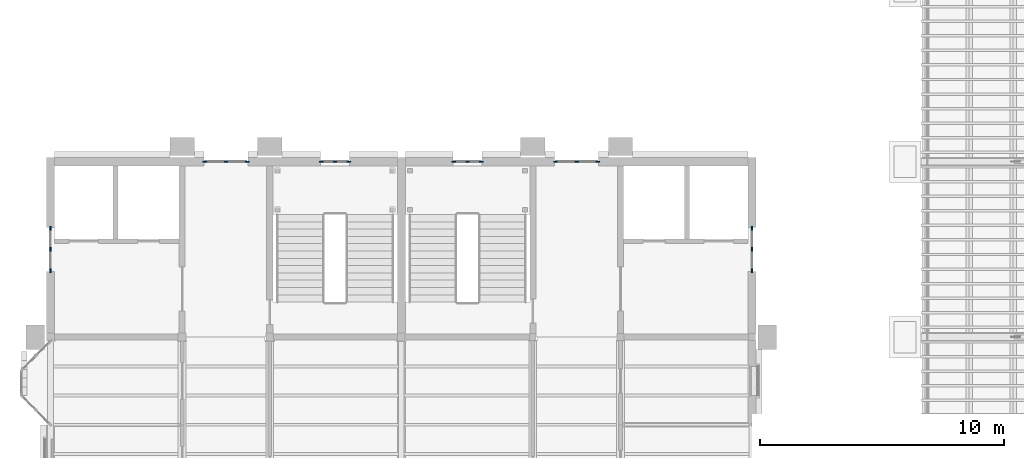
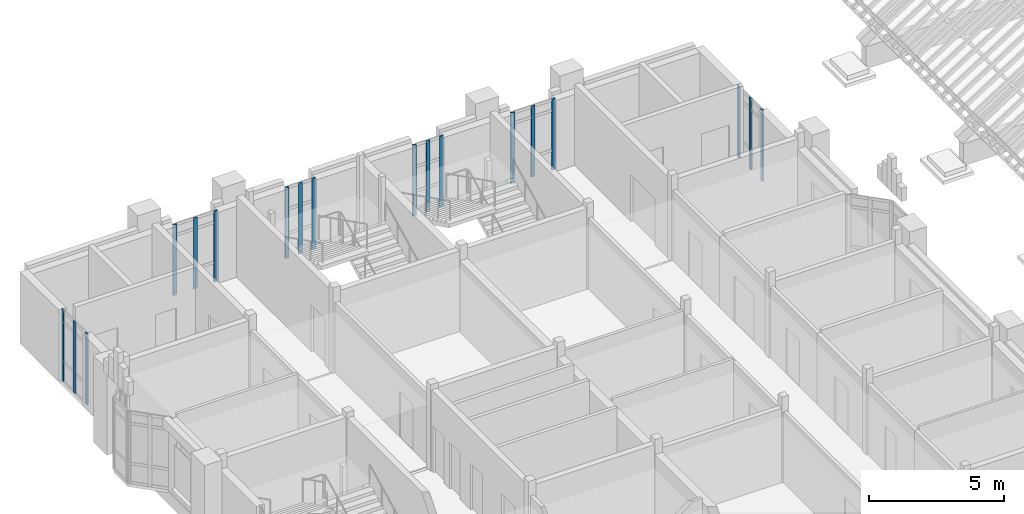
# One storey, part 8 of 71: 18 members, 6 elements without a shape of their own.
"""IFC4 building model written with IfcOpenShell, lengths in metres."""

from ifc_helpers import new_model, si_unit, direction, frame, origin, origin_2d, place, context, subcontext, project, spatial, rectangle, extrude, material, layer, layer_set, material_profile, profile_set, type_object, element, aggregate, save


model = new_model("IFC4")

# Units and contexts
model_context = context("Model", 3, precision=1e-05, world=origin(), true_north=direction((0.0, 1.0)))
body_context = subcontext(model_context, "Body", "Model", "MODEL_VIEW")
ifc_project = project(units=[si_unit("LENGTHUNIT", "METRE"), si_unit("AREAUNIT", "SQUARE_METRE"), si_unit("VOLUMEUNIT", "CUBIC_METRE"), si_unit("PLANEANGLEUNIT", "RADIAN"), si_unit("MASSUNIT", "GRAM", prefix="KILO")], contexts=[model_context])

# Site, building, storey
site_placement = place(None, origin())
site = spatial("IfcSite", under=ifc_project, at=site_placement, CompositionType="ELEMENT")
building_placement = place(site_placement, origin())
building = spatial("IfcBuilding", under=site, at=building_placement, Name="Mazhai Court Health Centre", CompositionType="ELEMENT")
storey_placement = place(building_placement, frame((0.0, 0.0, 10.199951171875)))
storey = spatial("IfcBuildingStorey", under=building, at=storey_placement, Name="L02", CompositionType="ELEMENT", Elevation=10.199951171875)

# Curtain wall, members
ifc_material_1 = material(Name="Teak timber frame, glazed", Category="wood")
ifc_layer_1 = layer(ifc_material_1, 0.10009765625)
ifc_layer_set_1 = layer_set([ifc_layer_1], Name="CURTAIN WALL TIMBER 900")
curtain_wall_type_1 = type_object("IfcCurtainWallType", Name="CURTAIN WALL TIMBER 900", PredefinedType="NOTDEFINED", material=ifc_layer_set_1)
curtain_wall_1_placement = place(storey_placement, origin())
curtain_wall_1 = element("IfcCurtainWall", 1, at=curtain_wall_1_placement, inside=storey, type_object=curtain_wall_type_1, Name="CW-V2-L02-A4", PredefinedType="NOTDEFINED")
ifc_material_2 = material(Name="Teak timber", Category="wood")
ifc_material_profile = material_profile(ifc_material_2, rectangle(XDim=0.06005859375, YDim=0.159912109375, at=origin_2d()), Name="CW MULLION 60x160")
ifc_profile_set = profile_set([ifc_material_profile], Name="Teak timber")
member_type = type_object("IfcMemberType", Name="CW MULLION 60x160", PredefinedType="MULLION", material=ifc_profile_set)
member_1_placement = place(storey_placement, frame((6.199951171875, 37.72998046875, 0.0), z_axis=(0.0, 0.0, 1.0), x_axis=(-1.0, 0.0, 0.0)))
member_1 = element("IfcMember", 2, at=member_1_placement, type_object=member_type, Name="CW mullion 1", PredefinedType="MULLION", context=body_context, shape_type="SweptSolid", body=[
    extrude(rectangle(XDim=0.06005859375, YDim=0.159912109375, at=origin_2d()), origin(), (0.0, 0.0, 1.0), 3.219970703125),
])
member_2_placement = place(storey_placement, frame((6.199951171875, 38.60009765625, 0.0), z_axis=(0.0, 0.0, 1.0), x_axis=(-1.0, 0.0, 0.0)))
member_2 = element("IfcMember", 3, at=member_2_placement, type_object=member_type, Name="CW mullion 2", PredefinedType="MULLION", context=body_context, shape_type="SweptSolid", body=[
    extrude(rectangle(XDim=0.06005859375, YDim=0.159912109375, at=origin_2d()), origin(), (0.0, 0.0, 1.0), 3.219970703125),
])
member_3_placement = place(storey_placement, frame((6.199951171875, 39.469970703125, 0.0), z_axis=(0.0, 0.0, 1.0), x_axis=(-1.0, 0.0, 0.0)))
member_3 = element("IfcMember", 4, at=member_3_placement, type_object=member_type, Name="CW mullion 3", PredefinedType="MULLION", context=body_context, shape_type="SweptSolid", body=[
    extrude(rectangle(XDim=0.06005859375, YDim=0.159912109375, at=origin_2d()), origin(), (0.0, 0.0, 1.0), 3.219970703125),
])
aggregate(curtain_wall_1, [member_1, member_2, member_3])

curtain_wall_2_placement = place(storey_placement, origin())
curtain_wall_2 = element("IfcCurtainWall", 5, at=curtain_wall_2_placement, inside=storey, type_object=curtain_wall_type_1, Name="CW-V2-L02-ELIFT0", PredefinedType="NOTDEFINED")
member_4_placement = place(storey_placement, frame((12.530029296875, 42.199951171875, 0.0), z_axis=(0.0, 0.0, 1.0), x_axis=(0.0, 1.0, 0.0)))
member_4 = element("IfcMember", 6, at=member_4_placement, type_object=member_type, Name="CW mullion 1", PredefinedType="MULLION", context=body_context, shape_type="SweptSolid", body=[
    extrude(rectangle(XDim=0.06005859375, YDim=0.159912109375, at=origin_2d()), origin(), (0.0, 0.0, 1.0), 3.199951171875),
])
member_5_placement = place(storey_placement, frame((13.39990234375, 42.199951171875, 0.0), z_axis=(0.0, 0.0, 1.0), x_axis=(0.0, 1.0, 0.0)))
member_5 = element("IfcMember", 7, at=member_5_placement, type_object=member_type, Name="CW mullion 2", PredefinedType="MULLION", context=body_context, shape_type="SweptSolid", body=[
    extrude(rectangle(XDim=0.06005859375, YDim=0.159912109375, at=origin_2d()), origin(), (0.0, 0.0, 1.0), 3.199951171875),
])
member_6_placement = place(storey_placement, frame((14.27001953125, 42.199951171875, 0.0), z_axis=(0.0, 0.0, 1.0), x_axis=(0.0, 1.0, 0.0)))
member_6 = element("IfcMember", 8, at=member_6_placement, type_object=member_type, Name="CW mullion 3", PredefinedType="MULLION", context=body_context, shape_type="SweptSolid", body=[
    extrude(rectangle(XDim=0.06005859375, YDim=0.159912109375, at=origin_2d()), origin(), (0.0, 0.0, 1.0), 3.199951171875),
])
aggregate(curtain_wall_2, [member_4, member_5, member_6])

ifc_material_3 = material(Name="Teak timber frame, glazed", Category="wood")
ifc_layer_2 = layer(ifc_material_3, 0.10009765625)
ifc_layer_set_2 = layer_set([ifc_layer_2], Name="CURTAIN WALL TIMBER 600")
curtain_wall_type_2 = type_object("IfcCurtainWallType", Name="CURTAIN WALL TIMBER 600", PredefinedType="NOTDEFINED", material=ifc_layer_set_2)
curtain_wall_3_placement = place(storey_placement, origin())
curtain_wall_3 = element("IfcCurtainWall", 9, at=curtain_wall_3_placement, inside=storey, type_object=curtain_wall_type_2, Name="CW-V2-L02-ESTAIR1", PredefinedType="NOTDEFINED")
member_7_placement = place(storey_placement, frame((17.31005859375, 42.199951171875, 0.0), z_axis=(0.0, 0.0, 1.0), x_axis=(0.0, 1.0, 0.0)))
member_7 = element("IfcMember", 10, at=member_7_placement, type_object=member_type, Name="CW mullion 1", PredefinedType="MULLION", context=body_context, shape_type="SweptSolid", body=[
    extrude(rectangle(XDim=0.06005859375, YDim=0.159912109375, at=origin_2d()), origin(), (0.0, 0.0, 1.0), 3.199951171875),
])
member_8_placement = place(storey_placement, frame((17.8798828125, 42.199951171875, 0.0), z_axis=(0.0, 0.0, 1.0), x_axis=(0.0, 1.0, 0.0)))
member_8 = element("IfcMember", 11, at=member_8_placement, type_object=member_type, Name="CW mullion 2", PredefinedType="MULLION", context=body_context, shape_type="SweptSolid", body=[
    extrude(rectangle(XDim=0.06005859375, YDim=0.159912109375, at=origin_2d()), origin(), (0.0, 0.0, 1.0), 3.199951171875),
])
member_9_placement = place(storey_placement, frame((18.449951171875, 42.199951171875, 0.0), z_axis=(0.0, 0.0, 1.0), x_axis=(0.0, 1.0, 0.0)))
member_9 = element("IfcMember", 12, at=member_9_placement, type_object=member_type, Name="CW mullion 3", PredefinedType="MULLION", context=body_context, shape_type="SweptSolid", body=[
    extrude(rectangle(XDim=0.06005859375, YDim=0.159912109375, at=origin_2d()), origin(), (0.0, 0.0, 1.0), 3.199951171875),
])
aggregate(curtain_wall_3, [member_7, member_8, member_9])

curtain_wall_4_placement = place(storey_placement, origin())
curtain_wall_4 = element("IfcCurtainWall", 13, at=curtain_wall_4_placement, inside=storey, type_object=curtain_wall_type_1, Name="CW-V5-L02-B4", PredefinedType="NOTDEFINED")
member_10_placement = place(storey_placement, frame((35.0, 39.469970703125, 0.0), z_axis=(0.0, 0.0, 1.0), x_axis=(1.0, 0.0, 0.0)))
member_10 = element("IfcMember", 14, at=member_10_placement, type_object=member_type, Name="CW mullion 1", PredefinedType="MULLION", context=body_context, shape_type="SweptSolid", body=[
    extrude(rectangle(XDim=0.06005859375, YDim=0.159912109375, at=origin_2d()), origin(), (0.0, 0.0, 1.0), 3.219970703125),
])
member_11_placement = place(storey_placement, frame((35.0, 38.60009765625, 0.0), z_axis=(0.0, 0.0, 1.0), x_axis=(1.0, 0.0, 0.0)))
member_11 = element("IfcMember", 15, at=member_11_placement, type_object=member_type, Name="CW mullion 2", PredefinedType="MULLION", context=body_context, shape_type="SweptSolid", body=[
    extrude(rectangle(XDim=0.06005859375, YDim=0.159912109375, at=origin_2d()), origin(), (0.0, 0.0, 1.0), 3.219970703125),
])
member_12_placement = place(storey_placement, frame((35.0, 37.72998046875, 0.0), z_axis=(0.0, 0.0, 1.0), x_axis=(1.0, 0.0, 0.0)))
member_12 = element("IfcMember", 16, at=member_12_placement, type_object=member_type, Name="CW mullion 3", PredefinedType="MULLION", context=body_context, shape_type="SweptSolid", body=[
    extrude(rectangle(XDim=0.06005859375, YDim=0.159912109375, at=origin_2d()), origin(), (0.0, 0.0, 1.0), 3.219970703125),
])
aggregate(curtain_wall_4, [member_10, member_11, member_12])

curtain_wall_5_placement = place(storey_placement, origin())
curtain_wall_5 = element("IfcCurtainWall", 17, at=curtain_wall_5_placement, inside=storey, type_object=curtain_wall_type_2, Name="CW-V5-L02-ESTAIR0", PredefinedType="NOTDEFINED")
member_13_placement = place(storey_placement, frame((22.75, 42.199951171875, 0.0), z_axis=(0.0, 0.0, 1.0), x_axis=(0.0, 1.0, 0.0)))
member_13 = element("IfcMember", 18, at=member_13_placement, type_object=member_type, Name="CW mullion 1", PredefinedType="MULLION", context=body_context, shape_type="SweptSolid", body=[
    extrude(rectangle(XDim=0.06005859375, YDim=0.159912109375, at=origin_2d()), origin(), (0.0, 0.0, 1.0), 3.199951171875),
])
member_14_placement = place(storey_placement, frame((23.320068359375, 42.199951171875, 0.0), z_axis=(0.0, 0.0, 1.0), x_axis=(0.0, 1.0, 0.0)))
member_14 = element("IfcMember", 19, at=member_14_placement, type_object=member_type, Name="CW mullion 2", PredefinedType="MULLION", context=body_context, shape_type="SweptSolid", body=[
    extrude(rectangle(XDim=0.06005859375, YDim=0.159912109375, at=origin_2d()), origin(), (0.0, 0.0, 1.0), 3.199951171875),
])
member_15_placement = place(storey_placement, frame((23.889892578125, 42.199951171875, 0.0), z_axis=(0.0, 0.0, 1.0), x_axis=(0.0, 1.0, 0.0)))
member_15 = element("IfcMember", 20, at=member_15_placement, type_object=member_type, Name="CW mullion 3", PredefinedType="MULLION", context=body_context, shape_type="SweptSolid", body=[
    extrude(rectangle(XDim=0.06005859375, YDim=0.159912109375, at=origin_2d()), origin(), (0.0, 0.0, 1.0), 3.199951171875),
])
aggregate(curtain_wall_5, [member_13, member_14, member_15])

curtain_wall_6_placement = place(storey_placement, origin())
curtain_wall_6 = element("IfcCurtainWall", 21, at=curtain_wall_6_placement, inside=storey, type_object=curtain_wall_type_1, Name="CW-V5-L02-ELIFT1", PredefinedType="NOTDEFINED")
member_16_placement = place(storey_placement, frame((26.929931640625, 42.199951171875, 0.0), z_axis=(0.0, 0.0, 1.0), x_axis=(0.0, 1.0, 0.0)))
member_16 = element("IfcMember", 22, at=member_16_placement, type_object=member_type, Name="CW mullion 1", PredefinedType="MULLION", context=body_context, shape_type="SweptSolid", body=[
    extrude(rectangle(XDim=0.06005859375, YDim=0.159912109375, at=origin_2d()), origin(), (0.0, 0.0, 1.0), 3.199951171875),
])
member_17_placement = place(storey_placement, frame((27.800048828125, 42.199951171875, 0.0), z_axis=(0.0, 0.0, 1.0), x_axis=(0.0, 1.0, 0.0)))
member_17 = element("IfcMember", 23, at=member_17_placement, type_object=member_type, Name="CW mullion 2", PredefinedType="MULLION", context=body_context, shape_type="SweptSolid", body=[
    extrude(rectangle(XDim=0.06005859375, YDim=0.159912109375, at=origin_2d()), origin(), (0.0, 0.0, 1.0), 3.199951171875),
])
member_18_placement = place(storey_placement, frame((28.669921875, 42.199951171875, 0.0), z_axis=(0.0, 0.0, 1.0), x_axis=(0.0, 1.0, 0.0)))
member_18 = element("IfcMember", 24, at=member_18_placement, type_object=member_type, Name="CW mullion 3", PredefinedType="MULLION", context=body_context, shape_type="SweptSolid", body=[
    extrude(rectangle(XDim=0.06005859375, YDim=0.159912109375, at=origin_2d()), origin(), (0.0, 0.0, 1.0), 3.199951171875),
])
aggregate(curtain_wall_6, [member_16, member_17, member_18])

save(model, "model.ifc")
